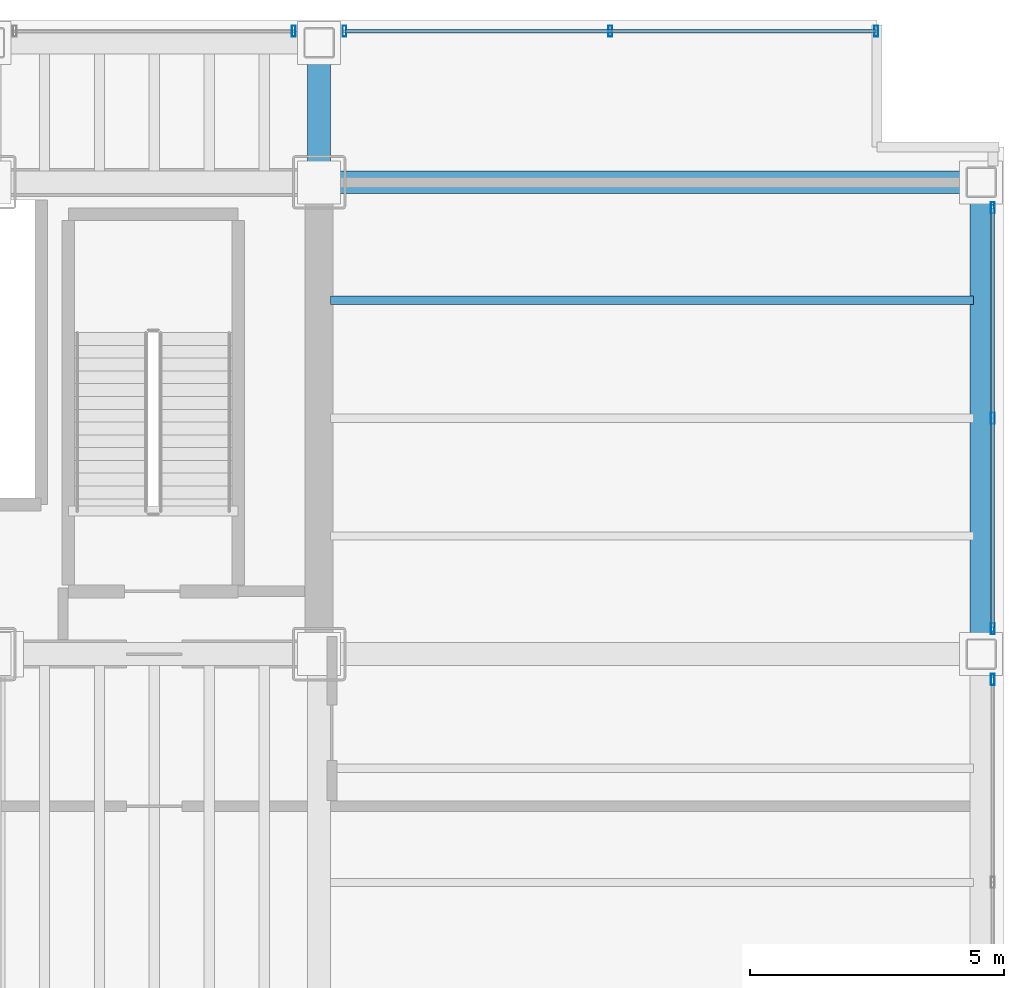
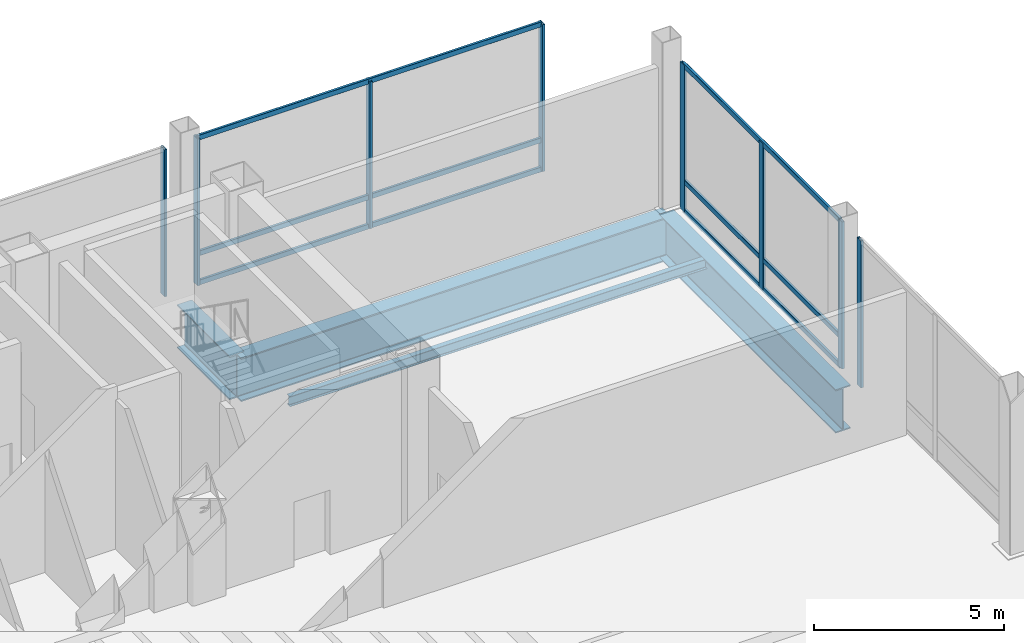
# One storey, part 16 of 20: 14 members, 4 beams, 4 elements without a shape of their own.
"""IFC4 building model written with IfcOpenShell, lengths in metres."""

import ifcopenshell
import ifcopenshell.guid

model = None  # the IFC model being written
_history = None  # IfcOwnerHistory: only IFC2X3 demands one
_inside = {}  # id of a spatial element -> (the spatial element, [elements in it])
_under = {}  # id of a project, library or spatial element -> (it, [spatial elements below it])
_declared = {}  # id of a project -> (the project, [libraries it declares])
_typed = {}  # id of a type object -> (the type object, [elements of that type])
_made_of = {}  # id of a material, layer set ... -> (it, [elements and type objects made of it])


def new_model(schema):
    """Start an empty IFC model of exactly this schema.

    Asked for "IFC4X3", IfcOpenShell would pick the latest addendum, in which some entities
    have other attributes; the version numbers below select the first issue.
    IFC2X3 requires an IfcOwnerHistory on every rooted entity: one is made here for all.
    """
    global model, _history
    if schema == "IFC4X3":
        model = ifcopenshell.file(schema_version=(4, 3, 0, 0))
    else:
        model = ifcopenshell.file(schema=schema)
    _inside.clear()
    _under.clear()
    _declared.clear()
    _typed.clear()
    _made_of.clear()
    _history = None
    if model.schema == "IFC2X3":
        org = make("IfcOrganization", Name="unknown")
        user = make(
            "IfcPersonAndOrganization",
            ThePerson=make("IfcPerson", FamilyName="unknown"),
            TheOrganization=org,
        )
        app = make(
            "IfcApplication",
            ApplicationDeveloper=org,
            Version="unknown",
            ApplicationFullName="unknown",
            ApplicationIdentifier="unknown",
        )
        _history = make(
            "IfcOwnerHistory",
            OwningUser=user,
            OwningApplication=app,
            ChangeAction="ADDED",
            CreationDate=0,
        )
    return model


def make(cls, **values):
    """One entity of the class cls with the attributes given. An attribute that is None is left unset."""
    return model.create_entity(
        cls, **{name: value for name, value in values.items() if value is not None}
    )


def rooted(cls, **values):
    """An entity with a GlobalId (a new one), such as an element, a storey or a relation."""
    return make(cls, GlobalId=ifcopenshell.guid.new(), OwnerHistory=_history, **values)


def si_unit(unit_type, name, prefix=None):
    """IfcSIUnit, for example si_unit("LENGTHUNIT", "METRE", prefix="MILLI")."""
    return make("IfcSIUnit", UnitType=unit_type, Prefix=prefix, Name=name)


def assignment(units):
    """IfcUnitAssignment: the units of a project."""
    return None if units is None else make("IfcUnitAssignment", Units=units)


def point(xyz):
    """IfcCartesianPoint."""
    return None if xyz is None else make("IfcCartesianPoint", Coordinates=xyz)


def direction(xyz):
    """IfcDirection."""
    return None if xyz is None else make("IfcDirection", DirectionRatios=xyz)


def frame(location, z_axis=None, x_axis=None):
    """IfcAxis2Placement3D, a coordinate frame: its origin and axes. An axis left out is left unset."""
    return make(
        "IfcAxis2Placement3D",
        Location=point(location),
        Axis=direction(z_axis),
        RefDirection=direction(x_axis),
    )


def frame_2d(location, x_axis=None):
    """IfcAxis2Placement2D, a coordinate frame in the plane: its origin and x axis."""
    return make(
        "IfcAxis2Placement2D", Location=point(location), RefDirection=direction(x_axis)
    )


def origin():
    """The frame at (0, 0, 0) with its axes left unset."""
    return frame((0.0, 0.0, 0.0))


def origin_2d():
    """The frame at (0, 0) in the plane with its x axis left unset."""
    return frame_2d((0.0, 0.0))


def place(relative_to, where):
    """IfcLocalPlacement: puts the frame where relative to a parent placement (None: the world)."""
    return make(
        "IfcLocalPlacement", PlacementRelTo=relative_to, RelativePlacement=where
    )


def context(
    kind, dimensions, precision=None, world=None, true_north=None, identifier=None
):
    """IfcGeometricRepresentationContext, for example the 3D "Model" context."""
    return make(
        "IfcGeometricRepresentationContext",
        ContextIdentifier=identifier,
        ContextType=kind,
        CoordinateSpaceDimension=dimensions,
        Precision=precision,
        WorldCoordinateSystem=world,
        TrueNorth=true_north,
    )


def subcontext(parent, identifier, kind, view, scale=None):
    """IfcGeometricRepresentationSubContext, for example "Body" below "Model"."""
    return make(
        "IfcGeometricRepresentationSubContext",
        ContextIdentifier=identifier,
        ContextType=kind,
        ParentContext=parent,
        TargetScale=scale,
        TargetView=view,
    )


def project(units=None, contexts=None):
    """IfcProject with its units and contexts."""
    return rooted(
        "IfcProject",
        Name="project",
        RepresentationContexts=contexts,
        UnitsInContext=assignment(units),
    )


def spatial(cls, under=None, at=None, **own):
    """A site, building, storey or space (cls), placed at a placement, below another one or the project."""
    s = rooted(cls, ObjectPlacement=at, **own)
    if under is not None:
        _under.setdefault(under.id(), (under, []))[1].append(s)
    return s


def profile(cls, at=None, kind="AREA", **sizes):
    """A parametric profile (cls). Its sizes go by their IFC names, for example OverallWidth=200.0."""
    return make(cls, ProfileType=kind, Position=at, **sizes)


def hollow_rectangle(**sizes):
    """IfcRectangleHollowProfileDef."""
    return profile("IfcRectangleHollowProfileDef", **sizes)


def i_section(**sizes):
    """IfcIShapeProfileDef."""
    return profile("IfcIShapeProfileDef", **sizes)


def extrude(swept, where, along, depth):
    """IfcExtrudedAreaSolid: the profile swept, set in the frame where, extruded along a direction by depth."""
    return make(
        "IfcExtrudedAreaSolid",
        SweptArea=swept,
        Position=where,
        ExtrudedDirection=direction(along),
        Depth=depth,
    )


def shape(context_of_items, identifier, shape_type, items):
    """IfcShapeRepresentation: the items that make up one representation, for example the "Body"."""
    return make(
        "IfcShapeRepresentation",
        ContextOfItems=context_of_items,
        RepresentationIdentifier=identifier,
        RepresentationType=shape_type,
        Items=items,
    )


def material(Name=None, Category=None):
    """IfcMaterial."""
    return make("IfcMaterial", Name=Name, Category=Category)


def material_profile(
    of_material, cross_section, Name=None, Category=None, Priority=None
):
    """IfcMaterialProfile: a cross section and its material."""
    return make(
        "IfcMaterialProfile",
        Name=Name,
        Material=of_material,
        Profile=cross_section,
        Priority=Priority,
        Category=Category,
    )


def profile_set(profiles, Name=None, composite=None):
    """IfcMaterialProfileSet."""
    return make(
        "IfcMaterialProfileSet",
        Name=Name,
        MaterialProfiles=profiles,
        CompositeProfile=composite,
    )


def made_of(thing, what):
    """Note that an element or type object is made of a material, layer set ...; save() writes the relation."""
    if what is not None:
        _made_of.setdefault(what.id(), (what, []))[1].append(thing)
    return thing


def type_object(cls, material=None, **own):
    """A type object (cls), such as IfcWallType, which elements share."""
    return made_of(rooted(cls, **own), material)


def element(
    cls,
    number,
    at=None,
    inside=None,
    cuts=None,
    type_object=None,
    material=None,
    context=None,
    identifier="Body",
    shape_type=None,
    held_by="IfcProductDefinitionShape",
    body=None,
    shapes=None,
    **own,
):
    """One element of the class cls, such as IfcWall. Its Tag is "e" and its number.

    at: its placement. inside: the storey or other place that contains it. cuts: it is an
    opening in that element (IfcRelVoidsElement). A single representation is given by context,
    identifier, shape_type and body (its items); several are given by shapes. held_by: the class
    of the entity that holds the representations. save() writes the other relations.
    """
    e = rooted(cls, Tag="e%d" % number, ObjectPlacement=at, **own)
    if body is not None:
        shapes = [shape(context, identifier, shape_type, body)]
    if shapes is not None:
        e.Representation = make(held_by, Representations=shapes)
    if inside is not None:
        _inside.setdefault(inside.id(), (inside, []))[1].append(e)
    if cuts is not None:
        rooted(
            "IfcRelVoidsElement", RelatingBuildingElement=cuts, RelatedOpeningElement=e
        )
    if type_object is not None:
        _typed.setdefault(type_object.id(), (type_object, []))[1].append(e)
    return made_of(e, material)


def aggregate(whole, parts):
    """IfcRelAggregates: a whole, such as a stair, and the parts it consists of."""
    return rooted("IfcRelAggregates", RelatingObject=whole, RelatedObjects=parts)


def save(model, path):
    """Write the relations noted so far, then the file.

    IfcRelAggregates (storeys below a building ...), IfcRelContainedInSpatialStructure (elements
    in a storey), IfcRelDefinesByType, IfcRelAssociatesMaterial and IfcRelDeclares: one each for
    every whole, place, type object, material and project.
    """
    for whole, parts in _under.values():
        aggregate(whole, parts)
    for where, things in _inside.values():
        rooted(
            "IfcRelContainedInSpatialStructure",
            RelatedElements=things,
            RelatingStructure=where,
        )
    for kind, things in _typed.values():
        rooted("IfcRelDefinesByType", RelatedObjects=things, RelatingType=kind)
    for what, things in _made_of.values():
        rooted("IfcRelAssociatesMaterial", RelatedObjects=things, RelatingMaterial=what)
    for by, libraries in _declared.values():
        rooted("IfcRelDeclares", RelatingContext=by, RelatedDefinitions=libraries)
    model.write(path)


model = new_model("IFC4")

# Units and contexts
model_context = context("Model", 3, precision=1e-05, world=origin(), true_north=direction((0.0, 1.0)))
body_context = subcontext(model_context, "Body", "Model", "MODEL_VIEW")
ifc_project = project(units=[si_unit("LENGTHUNIT", "METRE"), si_unit("AREAUNIT", "SQUARE_METRE"), si_unit("VOLUMEUNIT", "CUBIC_METRE"), si_unit("PLANEANGLEUNIT", "RADIAN"), si_unit("MASSUNIT", "GRAM", prefix="KILO")], contexts=[model_context])

# Site, building, storey
site_placement = place(None, origin())
site = spatial("IfcSite", under=ifc_project, at=site_placement, CompositionType="ELEMENT")
building_placement = place(site_placement, origin())
building = spatial("IfcBuilding", under=site, at=building_placement, Name="Noeulbin Bourse Tower", CompositionType="ELEMENT")
storey_placement = place(building_placement, frame((0.0, 0.0, 100.60009765625)))
storey = spatial("IfcBuildingStorey", under=building, at=storey_placement, Name="L25", CompositionType="ELEMENT", Elevation=100.60009765625)

# Beams
ifc_material_1 = material(Name="Steel S355", Category="steel")
ifc_material_profile_1 = material_profile(ifc_material_1, i_section(OverallWidth=0.159912109375, OverallDepth=0.320068359375, WebThickness=0.006591796875, FlangeThickness=0.010009765625, FilletRadius=0.012939453125, at=origin_2d()), Name="H-320x160x6.5x10", Category="LoadBearing")
ifc_profile_set_1 = profile_set([ifc_material_profile_1], Name="Steel S355")
beam_type_1 = type_object("IfcBeamType", Name="BM-JST-320", PredefinedType="JOIST", material=ifc_profile_set_1)
beam_1_placement = place(storey_placement, frame((44.22509765625, 35.97509765625, -0.460205078125), z_axis=(1.0, 0.0, 0.0), x_axis=(0.0, 1.0, 0.0)))
element("IfcBeam", 1, at=beam_1_placement, inside=storey, type_object=beam_type_1, Name="Wing Composite Joist L25-E81", PredefinedType="JOIST", context=body_context, shape_type="SweptSolid", body=[
    extrude(i_section(OverallWidth=0.159912109375, OverallDepth=0.320068359375, WebThickness=0.006591796875, FlangeThickness=0.010009765625, FilletRadius=0.012939453125, at=origin_2d()), origin(), (0.0, 0.0, 1.0), 12.6748046875),
])
ifc_material_2 = material(Name="Steel S460", Category="steel")
ifc_material_profile_2 = material_profile(ifc_material_2, i_section(OverallWidth=0.449951171875, OverallDepth=1.39990234375, WebThickness=0.02392578125, FlangeThickness=0.0400390625, FilletRadius=0.02392578125, at=origin_2d()), Name="PG-1400x450x24x40", Category="LoadBearing")
ifc_profile_set_2 = profile_set([ifc_material_profile_2], Name="Steel S460")
beam_type_2 = type_object("IfcBeamType", Name="BM-TRF-1400", PredefinedType="USERDEFINED", material=ifc_profile_set_2)
beam_2_placement = place(storey_placement, frame((44.0, 38.300048828125, -1.0), z_axis=(1.0, 0.0, 0.0), x_axis=(0.0, 1.0, 0.0)))
element("IfcBeam", 2, at=beam_2_placement, inside=storey, type_object=beam_type_2, Name="Tower Primary Girder EW L25-3.6", ObjectType="GIRDER", PredefinedType="USERDEFINED", context=body_context, shape_type="SweptSolid", body=[
    extrude(i_section(OverallWidth=0.449951171875, OverallDepth=1.39990234375, WebThickness=0.02392578125, FlangeThickness=0.0400390625, FilletRadius=0.02392578125, at=origin_2d()), origin(), (0.0, 0.0, 1.0), 13.050048828125),
])
beam_3_placement = place(storey_placement, frame((44.0, 38.300048828125, -1.0), z_axis=(0.0, 1.0, 0.0), x_axis=(-1.0, 0.0, 0.0)))
element("IfcBeam", 3, at=beam_3_placement, inside=storey, type_object=beam_type_2, Name="Tower Primary Girder NS L25-5.4", ObjectType="GIRDER", PredefinedType="USERDEFINED", context=body_context, shape_type="SweptSolid", body=[
    extrude(i_section(OverallWidth=0.449951171875, OverallDepth=1.39990234375, WebThickness=0.02392578125, FlangeThickness=0.0400390625, FilletRadius=0.02392578125, at=origin_2d()), origin(), (0.0, 0.0, 1.0), 2.75),
])
beam_4_placement = place(storey_placement, frame((57.050048828125, 29.0, -1.0), z_axis=(0.0, 1.0, 0.0), x_axis=(-1.0, 0.0, 0.0)))
element("IfcBeam", 4, at=beam_4_placement, inside=storey, type_object=beam_type_2, Name="East Spandrel L25-2", ObjectType="GIRDER", PredefinedType="USERDEFINED", context=body_context, shape_type="SweptSolid", body=[
    extrude(i_section(OverallWidth=0.449951171875, OverallDepth=1.39990234375, WebThickness=0.02392578125, FlangeThickness=0.0400390625, FilletRadius=0.02392578125, at=origin_2d()), origin(), (0.0, 0.0, 1.0), 9.300048828125),
])

# Curtain wall, member
ifc_material_3 = material(Name="Translucent Ceramic-Fritted Glass", Category="glass")
curtain_wall_type = type_object("IfcCurtainWallType", Name="CW-SYS-5", PredefinedType="NOTDEFINED", material=ifc_material_3)
curtain_wall_1_placement = place(storey_placement, origin())
curtain_wall_1 = element("IfcCurtainWall", 5, at=curtain_wall_1_placement, inside=storey, type_object=curtain_wall_type, Name="Unitised Curtain Wall CW-L25-N-S5", PredefinedType="NOTDEFINED")
ifc_material_4 = material(Name="Anodised Aluminium 6063-T6", Category="aluminium")
ifc_material_profile_3 = material_profile(ifc_material_4, hollow_rectangle(XDim=0.074951171875, YDim=0.219970703125, WallThickness=0.0048828125, InnerFilletRadius=0.00244140625, OuterFilletRadius=0.0048828125, at=origin_2d()), Name="ALU-MULL-75x220x5", Category="LoadBearing")
ifc_profile_set_3 = profile_set([ifc_material_profile_3], Name="Anodised Aluminium 6063-T6")
member_type_1 = type_object("IfcMemberType", Name="CW-SYS-5-MUL", PredefinedType="MULLION", material=ifc_profile_set_3)
member_1_placement = place(storey_placement, frame((43.5, 41.280029296875, -0.02001953125), z_axis=(0.0, 0.0, 1.0), x_axis=(1.0, 0.0, 0.0)))
member_1 = element("IfcMember", 6, at=member_1_placement, type_object=member_type_1, Name="Curtain Wall Mullion CW-L25-N-S5-M01", PredefinedType="MULLION", context=body_context, shape_type="SweptSolid", body=[
    extrude(hollow_rectangle(XDim=0.074951171875, YDim=0.219970703125, WallThickness=0.0048828125, InnerFilletRadius=0.00244140625, OuterFilletRadius=0.0048828125, at=origin_2d()), origin(), (0.0, 0.0, 1.0), 4.719970703125),
])
aggregate(curtain_wall_1, [member_1])

# Curtain wall, members
curtain_wall_2_placement = place(storey_placement, origin())
curtain_wall_2 = element("IfcCurtainWall", 7, at=curtain_wall_2_placement, inside=storey, type_object=curtain_wall_type, Name="Unitised Curtain Wall CW-L25-N-S6", PredefinedType="NOTDEFINED")
member_2_placement = place(storey_placement, frame((44.5, 41.280029296875, -0.02001953125), z_axis=(0.0, 0.0, 1.0), x_axis=(1.0, 0.0, 0.0)))
member_2 = element("IfcMember", 8, at=member_2_placement, type_object=member_type_1, Name="Curtain Wall Mullion CW-L25-N-S6-M00", PredefinedType="MULLION", context=body_context, shape_type="SweptSolid", body=[
    extrude(hollow_rectangle(XDim=0.074951171875, YDim=0.219970703125, WallThickness=0.0048828125, InnerFilletRadius=0.00244140625, OuterFilletRadius=0.0048828125, at=origin_2d()), origin(), (0.0, 0.0, 1.0), 4.719970703125),
])
member_3_placement = place(storey_placement, frame((49.739990234375, 41.280029296875, -0.02001953125), z_axis=(0.0, 0.0, 1.0), x_axis=(1.0, 0.0, 0.0)))
member_3 = element("IfcMember", 9, at=member_3_placement, type_object=member_type_1, Name="Curtain Wall Mullion CW-L25-N-S6-M01", PredefinedType="MULLION", context=body_context, shape_type="SweptSolid", body=[
    extrude(hollow_rectangle(XDim=0.074951171875, YDim=0.219970703125, WallThickness=0.0048828125, InnerFilletRadius=0.00244140625, OuterFilletRadius=0.0048828125, at=origin_2d()), origin(), (0.0, 0.0, 1.0), 4.719970703125),
])
member_4_placement = place(storey_placement, frame((54.97998046875, 41.280029296875, -0.02001953125), z_axis=(0.0, 0.0, 1.0), x_axis=(1.0, 0.0, 0.0)))
member_4 = element("IfcMember", 10, at=member_4_placement, type_object=member_type_1, Name="Curtain Wall Mullion CW-L25-N-S6-M02", PredefinedType="MULLION", context=body_context, shape_type="SweptSolid", body=[
    extrude(hollow_rectangle(XDim=0.074951171875, YDim=0.219970703125, WallThickness=0.0048828125, InnerFilletRadius=0.00244140625, OuterFilletRadius=0.0048828125, at=origin_2d()), origin(), (0.0, 0.0, 1.0), 4.719970703125),
])

# Curtain wall, member
curtain_wall_3_placement = place(storey_placement, origin())
curtain_wall_3 = element("IfcCurtainWall", 11, at=curtain_wall_3_placement, inside=storey, type_object=curtain_wall_type, Name="Unitised Curtain Wall CW-L25-E-S2", PredefinedType="NOTDEFINED")
member_5_placement = place(storey_placement, frame((57.280029296875, 28.5, -0.02001953125), z_axis=(0.0, 0.0, 1.0), x_axis=(1.0, 0.0, 0.0)))
member_5 = element("IfcMember", 12, at=member_5_placement, type_object=member_type_1, Name="Curtain Wall Mullion CW-L25-E-S2-M02", PredefinedType="MULLION", context=body_context, shape_type="SweptSolid", body=[
    extrude(hollow_rectangle(XDim=0.074951171875, YDim=0.219970703125, WallThickness=0.0048828125, InnerFilletRadius=0.00244140625, OuterFilletRadius=0.0048828125, at=origin_2d()), origin(), (0.0, 0.0, 1.0), 4.719970703125),
])
aggregate(curtain_wall_3, [member_5])

# Curtain wall, members
curtain_wall_4_placement = place(storey_placement, origin())
curtain_wall_4 = element("IfcCurtainWall", 13, at=curtain_wall_4_placement, inside=storey, type_object=curtain_wall_type, Name="Unitised Curtain Wall CW-L25-E-S3", PredefinedType="NOTDEFINED")
member_6_placement = place(storey_placement, frame((57.280029296875, 29.5, -0.02001953125), z_axis=(0.0, 0.0, 1.0), x_axis=(1.0, 0.0, 0.0)))
member_6 = element("IfcMember", 14, at=member_6_placement, type_object=member_type_1, Name="Curtain Wall Mullion CW-L25-E-S3-M00", PredefinedType="MULLION", context=body_context, shape_type="SweptSolid", body=[
    extrude(hollow_rectangle(XDim=0.074951171875, YDim=0.219970703125, WallThickness=0.0048828125, InnerFilletRadius=0.00244140625, OuterFilletRadius=0.0048828125, at=origin_2d()), origin(), (0.0, 0.0, 1.0), 4.719970703125),
])
member_7_placement = place(storey_placement, frame((57.280029296875, 33.64990234375, -0.02001953125), z_axis=(0.0, 0.0, 1.0), x_axis=(1.0, 0.0, 0.0)))
member_7 = element("IfcMember", 15, at=member_7_placement, type_object=member_type_1, Name="Curtain Wall Mullion CW-L25-E-S3-M01", PredefinedType="MULLION", context=body_context, shape_type="SweptSolid", body=[
    extrude(hollow_rectangle(XDim=0.074951171875, YDim=0.219970703125, WallThickness=0.0048828125, InnerFilletRadius=0.00244140625, OuterFilletRadius=0.0048828125, at=origin_2d()), origin(), (0.0, 0.0, 1.0), 4.719970703125),
])
member_8_placement = place(storey_placement, frame((57.280029296875, 37.800048828125, -0.02001953125), z_axis=(0.0, 0.0, 1.0), x_axis=(1.0, 0.0, 0.0)))
member_8 = element("IfcMember", 16, at=member_8_placement, type_object=member_type_1, Name="Curtain Wall Mullion CW-L25-E-S3-M02", PredefinedType="MULLION", context=body_context, shape_type="SweptSolid", body=[
    extrude(hollow_rectangle(XDim=0.074951171875, YDim=0.219970703125, WallThickness=0.0048828125, InnerFilletRadius=0.00244140625, OuterFilletRadius=0.0048828125, at=origin_2d()), origin(), (0.0, 0.0, 1.0), 4.719970703125),
])

# Member
ifc_material_profile_4 = material_profile(ifc_material_4, hollow_rectangle(XDim=0.074951171875, YDim=0.159912109375, WallThickness=0.0048828125, InnerFilletRadius=0.00244140625, OuterFilletRadius=0.0048828125, at=origin_2d()), Name="ALU-TRAN-75x160x5", Category="LoadBearing")
ifc_profile_set_4 = profile_set([ifc_material_profile_4], Name="Anodised Aluminium 6063-T6")
member_type_2 = type_object("IfcMemberType", Name="CW-SYS-5-TRN", PredefinedType="USERDEFINED", material=ifc_profile_set_4)
member_9_placement = place(storey_placement, frame((44.510009765625, 41.280029296875, 0.010009765625), z_axis=(1.0, 0.0, 0.0), x_axis=(0.0, 1.0, 0.0)))
member_9 = element("IfcMember", 17, at=member_9_placement, type_object=member_type_2, Name="Curtain Wall Transom CW-L25-N-S6-T00", ObjectType="TRANSOM", PredefinedType="USERDEFINED", context=body_context, shape_type="SweptSolid", body=[
    extrude(hollow_rectangle(XDim=0.074951171875, YDim=0.159912109375, WallThickness=0.0048828125, InnerFilletRadius=0.00244140625, OuterFilletRadius=0.0048828125, at=origin_2d()), origin(), (0.0, 0.0, 1.0), 10.4599609375),
])

member_10_placement = place(storey_placement, frame((44.510009765625, 41.280029296875, 0.949951171875), z_axis=(1.0, 0.0, 0.0), x_axis=(0.0, 1.0, 0.0)))
member_10 = element("IfcMember", 18, at=member_10_placement, type_object=member_type_2, Name="Curtain Wall Transom CW-L25-N-S6-T01", ObjectType="TRANSOM", PredefinedType="USERDEFINED", context=body_context, shape_type="SweptSolid", body=[
    extrude(hollow_rectangle(XDim=0.074951171875, YDim=0.159912109375, WallThickness=0.0048828125, InnerFilletRadius=0.00244140625, OuterFilletRadius=0.0048828125, at=origin_2d()), origin(), (0.0, 0.0, 1.0), 10.4599609375),
])

member_11_placement = place(storey_placement, frame((44.510009765625, 41.280029296875, 4.669921875), z_axis=(1.0, 0.0, 0.0), x_axis=(0.0, 1.0, 0.0)))
member_11 = element("IfcMember", 19, at=member_11_placement, type_object=member_type_2, Name="Curtain Wall Transom CW-L25-N-S6-T02", ObjectType="TRANSOM", PredefinedType="USERDEFINED", context=body_context, shape_type="SweptSolid", body=[
    extrude(hollow_rectangle(XDim=0.074951171875, YDim=0.159912109375, WallThickness=0.0048828125, InnerFilletRadius=0.00244140625, OuterFilletRadius=0.0048828125, at=origin_2d()), origin(), (0.0, 0.0, 1.0), 10.4599609375),
])

aggregate(curtain_wall_2, [member_2, member_3, member_4, member_9, member_10, member_11])

member_12_placement = place(storey_placement, frame((57.280029296875, 29.510009765625, 0.010009765625), z_axis=(0.0, 1.0, 0.0), x_axis=(-1.0, 0.0, 0.0)))
member_12 = element("IfcMember", 20, at=member_12_placement, type_object=member_type_2, Name="Curtain Wall Transom CW-L25-E-S3-T00", ObjectType="TRANSOM", PredefinedType="USERDEFINED", context=body_context, shape_type="SweptSolid", body=[
    extrude(hollow_rectangle(XDim=0.074951171875, YDim=0.159912109375, WallThickness=0.0048828125, InnerFilletRadius=0.00244140625, OuterFilletRadius=0.0048828125, at=origin_2d()), origin(), (0.0, 0.0, 1.0), 8.280029296875),
])

member_13_placement = place(storey_placement, frame((57.280029296875, 29.510009765625, 0.949951171875), z_axis=(0.0, 1.0, 0.0), x_axis=(-1.0, 0.0, 0.0)))
member_13 = element("IfcMember", 21, at=member_13_placement, type_object=member_type_2, Name="Curtain Wall Transom CW-L25-E-S3-T01", ObjectType="TRANSOM", PredefinedType="USERDEFINED", context=body_context, shape_type="SweptSolid", body=[
    extrude(hollow_rectangle(XDim=0.074951171875, YDim=0.159912109375, WallThickness=0.0048828125, InnerFilletRadius=0.00244140625, OuterFilletRadius=0.0048828125, at=origin_2d()), origin(), (0.0, 0.0, 1.0), 8.280029296875),
])

member_14_placement = place(storey_placement, frame((57.280029296875, 29.510009765625, 4.669921875), z_axis=(0.0, 1.0, 0.0), x_axis=(-1.0, 0.0, 0.0)))
member_14 = element("IfcMember", 22, at=member_14_placement, type_object=member_type_2, Name="Curtain Wall Transom CW-L25-E-S3-T02", ObjectType="TRANSOM", PredefinedType="USERDEFINED", context=body_context, shape_type="SweptSolid", body=[
    extrude(hollow_rectangle(XDim=0.074951171875, YDim=0.159912109375, WallThickness=0.0048828125, InnerFilletRadius=0.00244140625, OuterFilletRadius=0.0048828125, at=origin_2d()), origin(), (0.0, 0.0, 1.0), 8.280029296875),
])

aggregate(curtain_wall_4, [member_6, member_7, member_8, member_12, member_13, member_14])

save(model, "model.ifc")
